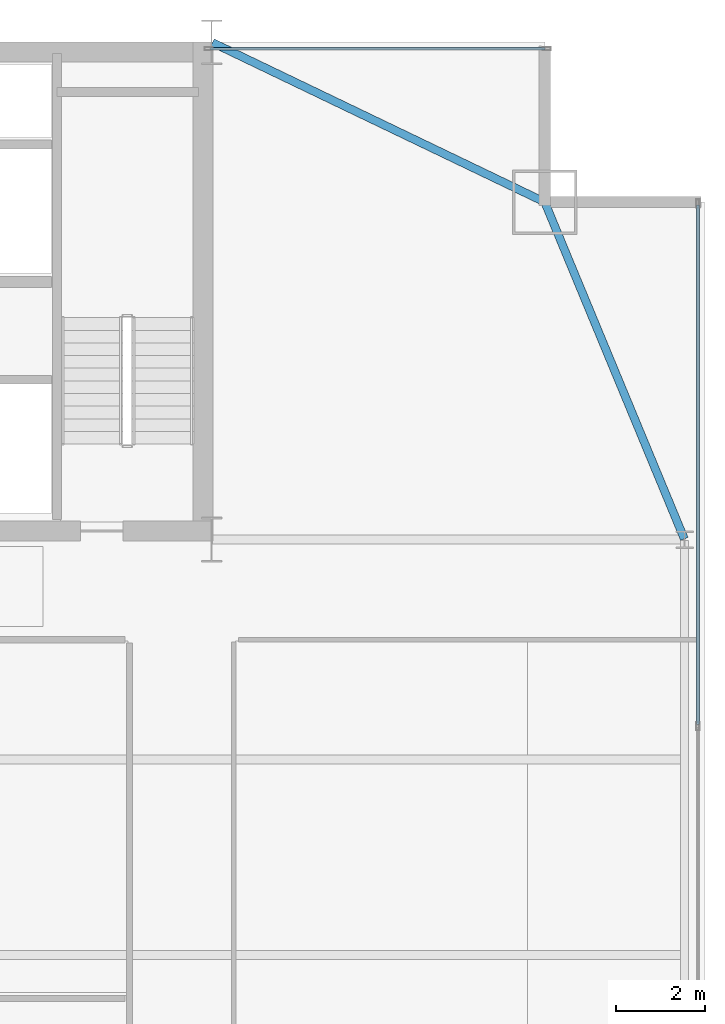
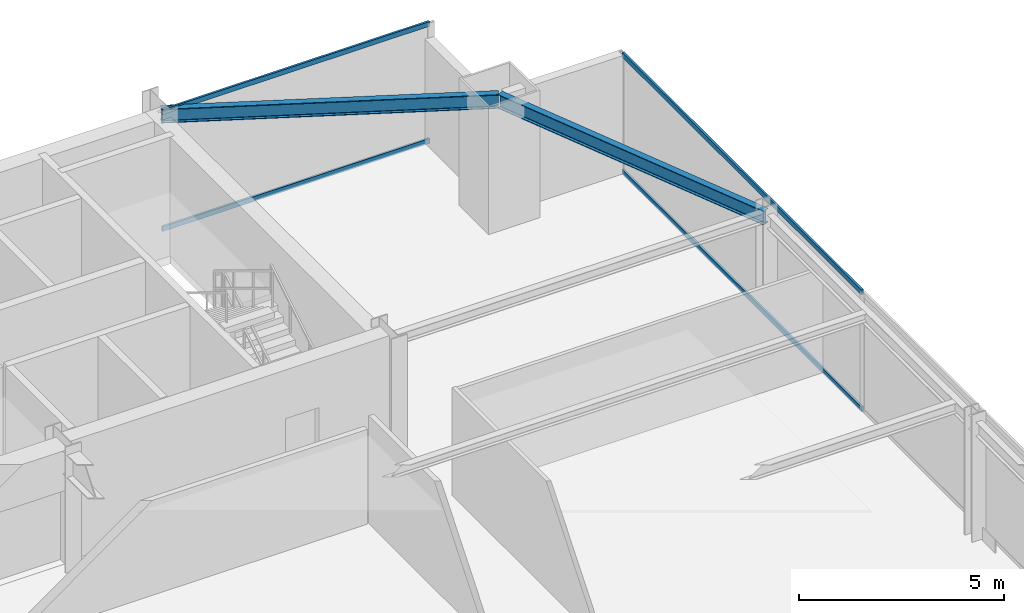
# One storey, part 25 of 34: 4 members, 2 beams, 2 elements without a shape of their own.
"""IFC4 building model written with IfcOpenShell, lengths in metres."""

from ifc_helpers import new_model, si_unit, direction, frame, origin, origin_2d, place, context, subcontext, project, spatial, hollow_rectangle, i_section, extrude, source, transform, mapped, material, layer, layer_set, material_profile, profile_set, type_object, type_shapes, element, aggregate, save


model = new_model("IFC4")

# Units and contexts
model_context = context("Model", 3, precision=1e-05, world=origin(), true_north=direction((0.0, 1.0)))
body_context = subcontext(model_context, "Body", "Model", "MODEL_VIEW")
ifc_project = project(units=[si_unit("LENGTHUNIT", "METRE"), si_unit("AREAUNIT", "SQUARE_METRE"), si_unit("VOLUMEUNIT", "CUBIC_METRE"), si_unit("PLANEANGLEUNIT", "RADIAN"), si_unit("MASSUNIT", "GRAM", prefix="KILO")], contexts=[model_context])

# Site, building, storey
site_placement = place(None, origin())
site = spatial("IfcSite", under=ifc_project, at=site_placement, CompositionType="ELEMENT")
building_placement = place(site_placement, origin())
building = spatial("IfcBuilding", under=site, at=building_placement, Name="Varnel Quay Broadcast Tower", CompositionType="ELEMENT")
storey_placement = place(building_placement, frame((0.0, 0.0, 110.60009765625)))
storey = spatial("IfcBuildingStorey", under=building, at=storey_placement, Name="L26", CompositionType="ELEMENT", Elevation=110.60009765625)

# Beams
ifc_material_1 = material(Name="Structural Steel CSA G40.21 350W", Category="steel")
ifc_material_profile_1 = material_profile(ifc_material_1, i_section(OverallWidth=0.180908203125, OverallDepth=0.4169921875, WebThickness=0.010986328125, FlangeThickness=0.018310546875, FilletRadius=0.011962890625, at=origin_2d()), Name="W410X85")
ifc_profile_set_1 = profile_set([ifc_material_profile_1], Name="Structural Steel CSA G40.21 350W")
beam_type = type_object("IfcBeamType", Name="Beam_W410X85", PredefinedType="SPANDREL", material=ifc_profile_set_1)
shared_shape_1 = source(origin(), body_context, "Body", "SweptSolid", [
    extrude(i_section(OverallWidth=0.180908203125, OverallDepth=0.4169921875, WebThickness=0.010986328125, FlangeThickness=0.018310546875, FilletRadius=0.011962890625, at=origin_2d()), origin(), (0.0, 0.0, 1.0), 8.186767578125),
])
beam_1_placement = place(storey_placement, frame((63.042236328125, 35.618408203125, 3.34130859375), z_axis=(-0.382874132092, 0.923800519038, 0.0), x_axis=(-0.923800519038, -0.382874132092, 0.0)))
element("IfcBeam", 1, at=beam_1_placement, inside=storey, type_object=beam_type, Name="L26 East Spandrel TC-E3-MC-NE", PredefinedType="SPANDREL", context=body_context, shape_type="MappedRepresentation", body=[
    mapped(shared_shape_1, transform((0.0, 0.0, 0.0), x_axis=(1.0, 0.0, 0.0), y_axis=(0.0, 1.0, 0.0), z_axis=(0.0, 0.0, 1.0), scale=1.0)),
])
shared_shape_2 = source(origin(), body_context, "Body", "SweptSolid", [
    extrude(i_section(OverallWidth=0.180908203125, OverallDepth=0.4169921875, WebThickness=0.010986328125, FlangeThickness=0.018310546875, FilletRadius=0.011962890625, at=origin_2d()), origin(), (0.0, 0.0, 1.0), 8.279296875),
])
type_shapes(beam_type, [shared_shape_1, shared_shape_2])
beam_2_placement = place(storey_placement, frame((52.41796875, 46.791259765625, 3.34130859375), z_axis=(0.901535021024, -0.432706142626, 0.0), x_axis=(0.432706142626, 0.901535021024, 0.0)))
element("IfcBeam", 2, at=beam_2_placement, inside=storey, type_object=beam_type, Name="L26 NE Tie Spandrel", PredefinedType="SPANDREL", context=body_context, shape_type="MappedRepresentation", body=[
    mapped(shared_shape_2, transform((0.0, 0.0, 0.0), x_axis=(1.0, 0.0, 0.0), y_axis=(0.0, 1.0, 0.0), z_axis=(0.0, 0.0, 1.0), scale=1.0)),
])

# Curtain wall, members
ifc_material_2 = material(Name="Anodised Bronze Aluminium 6063-T6", Category="aluminium")
ifc_layer = layer(ifc_material_2, 0.18994140625, Name="Anodised Bronze Aluminium 6063-T6")
ifc_layer_set = layer_set([ifc_layer], Name="Anodised Bronze Aluminium 6063-T6")
curtain_wall_type = type_object("IfcCurtainWallType", Name="CW_LowerTower", PredefinedType="NOTDEFINED", material=ifc_layer_set)
curtain_wall_1_placement = place(storey_placement, origin())
curtain_wall_1 = element("IfcCurtainWall", 3, at=curtain_wall_1_placement, inside=storey, type_object=curtain_wall_type, Name="L26 East Unitised Curtain Wall", PredefinedType="NOTDEFINED")
ifc_material_profile_2 = material_profile(ifc_material_2, hollow_rectangle(XDim=0.06005859375, YDim=0.14501953125, WallThickness=0.00341796875, at=origin_2d()), Name="ALU60X145X3.5")
ifc_profile_set_2 = profile_set([ifc_material_profile_2], Name="Anodised Bronze Aluminium 6063-T6")
member_type = type_object("IfcMemberType", Name="Tran_CWS-02", PredefinedType="USERDEFINED", material=ifc_profile_set_2)
shared_shape_3 = source(origin(), body_context, "Body", "SweptSolid", [
    extrude(hollow_rectangle(XDim=0.06005859375, YDim=0.14501953125, WallThickness=0.00341796875, at=origin_2d()), origin(), (0.0, 0.0, 1.0), 11.69482421875),
])
member_1_placement = place(storey_placement, frame((63.35009765625, 31.43505859375, 0.02978515625), z_axis=(0.0, 1.0, 0.0), x_axis=(-1.0, 0.0, 0.0)))
member_1 = element("IfcMember", 4, at=member_1_placement, type_object=member_type, Name="CWS-02 transom 3.1", ObjectType="TRANSOM", PredefinedType="USERDEFINED", context=body_context, shape_type="MappedRepresentation", body=[
    mapped(shared_shape_3, transform((0.0, 0.0, 0.0), x_axis=(1.0, 0.0, 0.0), y_axis=(0.0, 1.0, 0.0), z_axis=(0.0, 0.0, 1.0), scale=1.0)),
])
member_2_placement = place(storey_placement, frame((63.35009765625, 31.43505859375, 3.52001953125), z_axis=(0.0, 1.0, 0.0), x_axis=(-1.0, 0.0, 0.0)))
member_2 = element("IfcMember", 5, at=member_2_placement, type_object=member_type, Name="CWS-02 transom 3.2", ObjectType="TRANSOM", PredefinedType="USERDEFINED", context=body_context, shape_type="MappedRepresentation", body=[
    mapped(shared_shape_3, transform((0.0, 0.0, 0.0), x_axis=(1.0, 0.0, 0.0), y_axis=(0.0, 1.0, 0.0), z_axis=(0.0, 0.0, 1.0), scale=1.0)),
])
aggregate(curtain_wall_1, [member_1, member_2])

curtain_wall_2_placement = place(storey_placement, origin())
curtain_wall_2 = element("IfcCurtainWall", 6, at=curtain_wall_2_placement, inside=storey, type_object=curtain_wall_type, Name="L26 NE Wing Curtain Wall", PredefinedType="NOTDEFINED")
shared_shape_4 = source(origin(), body_context, "Body", "SweptSolid", [
    extrude(hollow_rectangle(XDim=0.06005859375, YDim=0.14501953125, WallThickness=0.00341796875, at=origin_2d()), origin(), (0.0, 0.0, 1.0), 7.539794921875),
])
type_shapes(member_type, [shared_shape_3, shared_shape_4])
member_3_placement = place(storey_placement, frame((52.3701171875, 46.64990234375, 0.02978515625), z_axis=(1.0, 0.0, 0.0), x_axis=(0.0, 1.0, 0.0)))
member_3 = element("IfcMember", 7, at=member_3_placement, type_object=member_type, Name="CWS-02 transom 1.1", ObjectType="TRANSOM", PredefinedType="USERDEFINED", context=body_context, shape_type="MappedRepresentation", body=[
    mapped(shared_shape_4, transform((0.0, 0.0, 0.0), x_axis=(1.0, 0.0, 0.0), y_axis=(0.0, 1.0, 0.0), z_axis=(0.0, 0.0, 1.0), scale=1.0)),
])
member_4_placement = place(storey_placement, frame((52.3701171875, 46.64990234375, 3.52001953125), z_axis=(1.0, 0.0, 0.0), x_axis=(0.0, 1.0, 0.0)))
member_4 = element("IfcMember", 8, at=member_4_placement, type_object=member_type, Name="CWS-02 transom 1.2", ObjectType="TRANSOM", PredefinedType="USERDEFINED", context=body_context, shape_type="MappedRepresentation", body=[
    mapped(shared_shape_4, transform((0.0, 0.0, 0.0), x_axis=(1.0, 0.0, 0.0), y_axis=(0.0, 1.0, 0.0), z_axis=(0.0, 0.0, 1.0), scale=1.0)),
])
aggregate(curtain_wall_2, [member_3, member_4])

save(model, "model.ifc")
